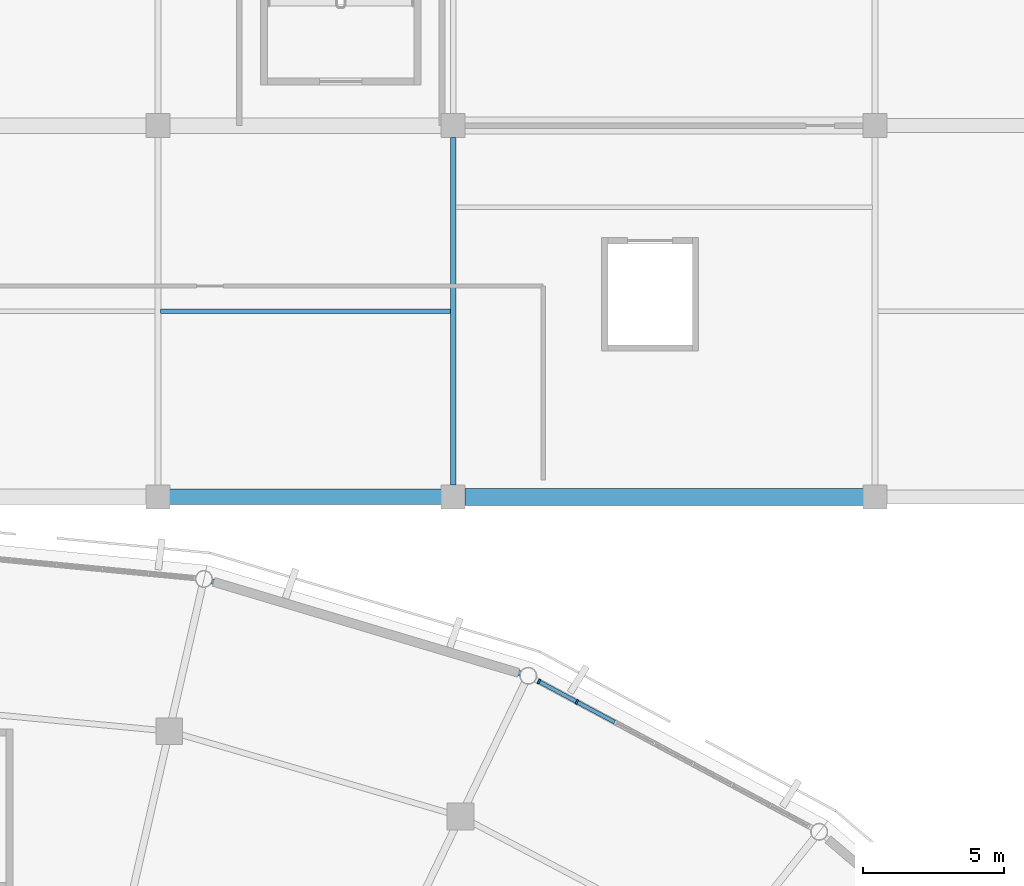
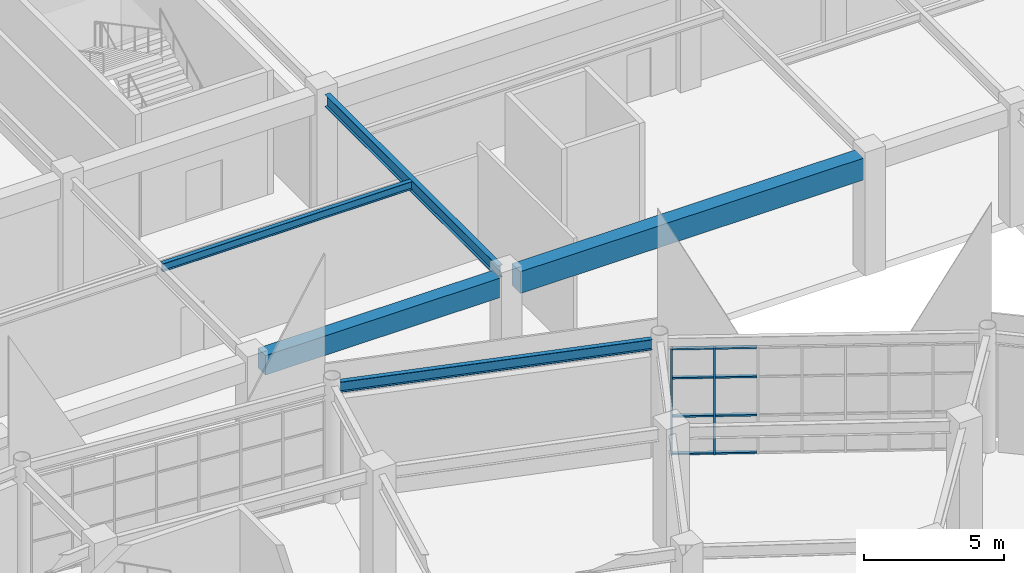
# One storey, part 45 of 120: 10 members, 5 beams, 1 element without a shape of its own.
"""IFC4 building model written with IfcOpenShell, lengths in metres."""

from ifc_helpers import new_model, si_unit, direction, frame, origin, origin_2d, place, context, subcontext, project, spatial, rectangle, i_section, extrude, material, material_profile, profile_set, type_object, element, aggregate, save


model = new_model("IFC4")

# Units and contexts
model_context = context("Model", 3, precision=1e-05, world=origin(), true_north=direction((0.0, 1.0)))
body_context = subcontext(model_context, "Body", "Model", "MODEL_VIEW")
ifc_project = project(units=[si_unit("LENGTHUNIT", "METRE"), si_unit("AREAUNIT", "SQUARE_METRE"), si_unit("VOLUMEUNIT", "CUBIC_METRE"), si_unit("PLANEANGLEUNIT", "RADIAN"), si_unit("MASSUNIT", "GRAM", prefix="KILO")], contexts=[model_context])

# Site, building, storey
site_placement = place(None, origin())
site = spatial("IfcSite", under=ifc_project, at=site_placement, CompositionType="ELEMENT")
building_placement = place(site_placement, origin())
building = spatial("IfcBuilding", under=site, at=building_placement, Name="Cuetzalor Civic Arena", CompositionType="ELEMENT")
storey_placement = place(building_placement, frame((0.0, 0.0, 6.0)))
storey = spatial("IfcBuildingStorey", under=building, at=storey_placement, Name="L01", CompositionType="ELEMENT", Elevation=6.0)

# Beams
ifc_material_1 = material(Name="Concrete C40/50", Category="concrete")
ifc_material_profile_1 = material_profile(ifc_material_1, rectangle(XDim=0.550048828125, YDim=0.85009765625, at=origin_2d()), Name="RC 550x850")
ifc_profile_set_1 = profile_set([ifc_material_profile_1], Name="Concrete C40/50")
beam_type_1 = type_object("IfcBeamType", Name="ConcreteFrameBeam_550x850", PredefinedType="BEAM", material=ifc_profile_set_1)
beam_1_placement = place(storey_placement, frame((10.9150390625, 48.300048828125, 4.655029296875), z_axis=(1.0, 0.0, 0.0), x_axis=(0.0, 1.0, 0.0)))
element("IfcBeam", 1, at=beam_1_placement, inside=storey, type_object=beam_type_1, Name="Frame Girder V5-L01-X0515", PredefinedType="BEAM", context=body_context, shape_type="SweptSolid", body=[
    extrude(rectangle(XDim=0.550048828125, YDim=0.85009765625, at=origin_2d()), origin(), (0.0, 0.0, 1.0), 9.669921875),
])
ifc_material_2 = material(Name="Concrete C40/50", Category="concrete")
ifc_material_profile_2 = material_profile(ifc_material_2, rectangle(XDim=0.60009765625, YDim=0.949951171875, at=origin_2d()), Name="RC 600x950")
ifc_profile_set_2 = profile_set([ifc_material_profile_2], Name="Concrete C40/50")
beam_type_2 = type_object("IfcBeamType", Name="ConcreteFrameBeam_600x950", PredefinedType="BEAM", material=ifc_profile_set_2)
beam_2_placement = place(storey_placement, frame((21.4150390625, 48.300048828125, 4.60498046875), z_axis=(1.0, 0.0, 0.0), x_axis=(0.0, 1.0, 0.0)))
element("IfcBeam", 2, at=beam_2_placement, inside=storey, type_object=beam_type_2, Name="Frame Girder V5-L01-X0516", PredefinedType="BEAM", context=body_context, shape_type="SweptSolid", body=[
    extrude(rectangle(XDim=0.60009765625, YDim=0.949951171875, at=origin_2d()), origin(), (0.0, 0.0, 1.0), 14.169921875),
])

# Curtain wall, members
ifc_material_3 = material(Name="Anodised dark bronze aluminium and low-E solar glass", Category="aluminium")
curtain_wall_type = type_object("IfcCurtainWallType", Name="UnitisedCW_10950x4650", PredefinedType="USERDEFINED", material=ifc_material_3)
curtain_wall_placement = place(storey_placement, origin())
curtain_wall = element("IfcCurtainWall", 3, at=curtain_wall_placement, inside=storey, type_object=curtain_wall_type, Name="Drum Triangle Foyer Curtain Wall L01-022", ObjectType="UNITISED CURTAIN WALL", PredefinedType="USERDEFINED")
ifc_material_4 = material(Name="Anodised dark bronze aluminium", Category="aluminium")
ifc_material_profile_3 = material_profile(ifc_material_4, rectangle(XDim=0.070068359375, YDim=0.179931640625, at=origin_2d()), Name="ALU MULLION 70x180")
ifc_profile_set_3 = profile_set([ifc_material_profile_3], Name="Anodised dark bronze aluminium")
member_type_1 = type_object("IfcMemberType", Name="CurtainWallMullion_65x180", PredefinedType="MULLION", material=ifc_profile_set_3)
member_1_placement = place(storey_placement, frame((24.04736328125, 41.737060546875, 0.0), z_axis=(0.0, 0.0, 1.0), x_axis=(0.881306344124, -0.472545371163, 0.0)))
member_1 = element("IfcMember", 4, at=member_1_placement, type_object=member_type_1, Name="CW-07 mullion 1", PredefinedType="MULLION", context=body_context, shape_type="SweptSolid", body=[
    extrude(rectangle(XDim=0.070068359375, YDim=0.179931640625, at=origin_2d()), origin(), (0.0, 0.0, 1.0), 4.653076171875),
])
member_2_placement = place(storey_placement, frame((25.39453125, 41.0146484375, 0.0), z_axis=(0.0, 0.0, 1.0), x_axis=(0.881306344124, -0.472545371163, 0.0)))
member_2 = element("IfcMember", 5, at=member_2_placement, type_object=member_type_1, Name="CW-07 mullion 2", PredefinedType="MULLION", context=body_context, shape_type="SweptSolid", body=[
    extrude(rectangle(XDim=0.070068359375, YDim=0.179931640625, at=origin_2d()), origin(), (0.0, 0.0, 1.0), 4.653076171875),
])
ifc_material_5 = material(Name="Anodised dark bronze aluminium", Category="aluminium")
ifc_material_profile_4 = material_profile(ifc_material_5, rectangle(XDim=0.139892578125, YDim=0.070068359375, at=origin_2d()), Name="ALU TRANSOM 70x140")
ifc_profile_set_4 = profile_set([ifc_material_profile_4], Name="Anodised dark bronze aluminium")
member_type_2 = type_object("IfcMemberType", Name="CurtainWallTransom_65x140", PredefinedType="USERDEFINED", material=ifc_profile_set_4)
member_3_placement = place(storey_placement, frame((24.078125, 41.720458984375, 0.034912109375), z_axis=(0.881275880815, -0.472602181432, 0.0), x_axis=(0.472602181432, 0.881275880815, 0.0)))
member_3 = element("IfcMember", 6, at=member_3_placement, type_object=member_type_2, Name="CW-07 transom 1.1", ObjectType="TRANSOM", PredefinedType="USERDEFINED", context=body_context, shape_type="SweptSolid", body=[
    extrude(rectangle(XDim=0.139892578125, YDim=0.070068359375, at=origin_2d()), origin(), (0.0, 0.0, 1.0), 1.458740234375),
])
member_4_placement = place(storey_placement, frame((24.078125, 41.720458984375, 1.675048828125), z_axis=(0.881275880815, -0.472602181432, 0.0), x_axis=(0.472602181432, 0.881275880815, 0.0)))
member_4 = element("IfcMember", 7, at=member_4_placement, type_object=member_type_2, Name="CW-07 transom 1.2", ObjectType="TRANSOM", PredefinedType="USERDEFINED", context=body_context, shape_type="SweptSolid", body=[
    extrude(rectangle(XDim=0.139892578125, YDim=0.070068359375, at=origin_2d()), origin(), (0.0, 0.0, 1.0), 1.458740234375),
])
member_5_placement = place(storey_placement, frame((24.078125, 41.720458984375, 3.35009765625), z_axis=(0.881275880815, -0.472602181432, 0.0), x_axis=(0.472602181432, 0.881275880815, 0.0)))
member_5 = element("IfcMember", 8, at=member_5_placement, type_object=member_type_2, Name="CW-07 transom 1.3", ObjectType="TRANSOM", PredefinedType="USERDEFINED", context=body_context, shape_type="SweptSolid", body=[
    extrude(rectangle(XDim=0.139892578125, YDim=0.070068359375, at=origin_2d()), origin(), (0.0, 0.0, 1.0), 1.458740234375),
])
member_6_placement = place(storey_placement, frame((24.078125, 41.720458984375, 4.617919921875), z_axis=(0.881275880815, -0.472602181432, 0.0), x_axis=(0.472602181432, 0.881275880815, 0.0)))
member_6 = element("IfcMember", 9, at=member_6_placement, type_object=member_type_2, Name="CW-07 transom 1.4", ObjectType="TRANSOM", PredefinedType="USERDEFINED", context=body_context, shape_type="SweptSolid", body=[
    extrude(rectangle(XDim=0.139892578125, YDim=0.070068359375, at=origin_2d()), origin(), (0.0, 0.0, 1.0), 1.458740234375),
])
member_7_placement = place(storey_placement, frame((25.42529296875, 40.998046875, 0.034912109375), z_axis=(0.881351173238, -0.472461754465, 0.0), x_axis=(0.472461754465, 0.881351173238, 0.0)))
member_7 = element("IfcMember", 10, at=member_7_placement, type_object=member_type_2, Name="CW-07 transom 2.1", ObjectType="TRANSOM", PredefinedType="USERDEFINED", context=body_context, shape_type="SweptSolid", body=[
    extrude(rectangle(XDim=0.139892578125, YDim=0.070068359375, at=origin_2d()), origin(), (0.0, 0.0, 1.0), 1.493896484375),
])
member_8_placement = place(storey_placement, frame((25.42529296875, 40.998046875, 1.675048828125), z_axis=(0.881351173238, -0.472461754465, 0.0), x_axis=(0.472461754465, 0.881351173238, 0.0)))
member_8 = element("IfcMember", 11, at=member_8_placement, type_object=member_type_2, Name="CW-07 transom 2.2", ObjectType="TRANSOM", PredefinedType="USERDEFINED", context=body_context, shape_type="SweptSolid", body=[
    extrude(rectangle(XDim=0.139892578125, YDim=0.070068359375, at=origin_2d()), origin(), (0.0, 0.0, 1.0), 1.493896484375),
])
member_9_placement = place(storey_placement, frame((25.42529296875, 40.998046875, 3.35009765625), z_axis=(0.881351173238, -0.472461754465, 0.0), x_axis=(0.472461754465, 0.881351173238, 0.0)))
member_9 = element("IfcMember", 12, at=member_9_placement, type_object=member_type_2, Name="CW-07 transom 2.3", ObjectType="TRANSOM", PredefinedType="USERDEFINED", context=body_context, shape_type="SweptSolid", body=[
    extrude(rectangle(XDim=0.139892578125, YDim=0.070068359375, at=origin_2d()), origin(), (0.0, 0.0, 1.0), 1.493896484375),
])
member_10_placement = place(storey_placement, frame((25.42529296875, 40.998046875, 4.617919921875), z_axis=(0.881351173238, -0.472461754465, 0.0), x_axis=(0.472461754465, 0.881351173238, 0.0)))
member_10 = element("IfcMember", 13, at=member_10_placement, type_object=member_type_2, Name="CW-07 transom 2.4", ObjectType="TRANSOM", PredefinedType="USERDEFINED", context=body_context, shape_type="SweptSolid", body=[
    extrude(rectangle(XDim=0.139892578125, YDim=0.070068359375, at=origin_2d()), origin(), (0.0, 0.0, 1.0), 1.493896484375),
])
aggregate(curtain_wall, [member_1, member_2, member_3, member_4, member_5, member_6, member_7, member_8, member_9, member_10])

# Beams
ifc_material_6 = material(Name="Steel S355", Category="steel")
ifc_material_profile_5 = material_profile(ifc_material_6, i_section(OverallWidth=0.18994140625, OverallDepth=0.45703125, WebThickness=0.009033203125, FlangeThickness=0.014404296875, at=origin_2d()), Name="W460x74")
ifc_profile_set_5 = profile_set([ifc_material_profile_5], Name="Steel S355")
beam_type_3 = type_object("IfcBeamType", Name="FacadeSpandrelBeam_W460", PredefinedType="SPANDREL", material=ifc_profile_set_5)
beam_3_placement = place(storey_placement, frame((23.390380859375, 42.023193359375, 4.8916015625), z_axis=(-0.958199215373, 0.28610184141, 0.0), x_axis=(-0.28610184141, -0.958199215373, 0.0)))
element("IfcBeam", 14, at=beam_3_placement, inside=storey, type_object=beam_type_3, Name="Drum Perimeter Spandrel L01-S06", PredefinedType="SPANDREL", context=body_context, shape_type="SweptSolid", body=[
    extrude(i_section(OverallWidth=0.18994140625, OverallDepth=0.45703125, WebThickness=0.009033203125, FlangeThickness=0.014404296875, at=origin_2d()), origin(), (0.0, 0.0, 1.0), 11.45263671875),
])
ifc_material_7 = material(Name="Steel S355", Category="steel")
ifc_material_profile_6 = material_profile(ifc_material_7, i_section(OverallWidth=0.1708984375, OverallDepth=0.35498046875, WebThickness=0.007080078125, FlangeThickness=0.01171875, at=origin_2d()), Name="W360x51")
ifc_profile_set_6 = profile_set([ifc_material_profile_6], Name="Steel S355")
beam_type_4 = type_object("IfcBeamType", Name="SecondaryFloorJoist_W360", PredefinedType="JOIST", material=ifc_profile_set_6)
beam_4_placement = place(storey_placement, frame((10.596435546875, 54.89990234375, 4.902587890625), z_axis=(1.0, 0.0, 0.0), x_axis=(0.0, 1.0, 0.0)))
element("IfcBeam", 15, at=beam_4_placement, inside=storey, type_object=beam_type_4, Name="Secondary Floor Joist V5-L01-0169", PredefinedType="JOIST", context=body_context, shape_type="SweptSolid", body=[
    extrude(i_section(OverallWidth=0.1708984375, OverallDepth=0.35498046875, WebThickness=0.007080078125, FlangeThickness=0.01171875, at=origin_2d()), origin(), (0.0, 0.0, 1.0), 10.30712890625),
])
ifc_material_8 = material(Name="Steel S355", Category="steel")
ifc_material_profile_7 = material_profile(ifc_material_8, i_section(OverallWidth=0.208984375, OverallDepth=0.532958984375, WebThickness=0.01025390625, FlangeThickness=0.015625, at=origin_2d()), Name="W530x92")
ifc_profile_set_7 = profile_set([ifc_material_profile_7], Name="Steel S355")
beam_type_5 = type_object("IfcBeamType", Name="SteelCollarGirder_W530", PredefinedType="BEAM", material=ifc_profile_set_7)
beam_5_placement = place(storey_placement, frame((21.0, 48.715087890625, 4.8134765625), z_axis=(0.0, 1.0, 0.0), x_axis=(-1.0, 0.0, 0.0)))
element("IfcBeam", 16, at=beam_5_placement, inside=storey, type_object=beam_type_5, Name="Frame Girder V5-L01-Y0561", PredefinedType="BEAM", context=body_context, shape_type="SweptSolid", body=[
    extrude(i_section(OverallWidth=0.208984375, OverallDepth=0.532958984375, WebThickness=0.01025390625, FlangeThickness=0.015625, at=origin_2d()), origin(), (0.0, 0.0, 1.0), 12.369873046875),
])

save(model, "model.ifc")
